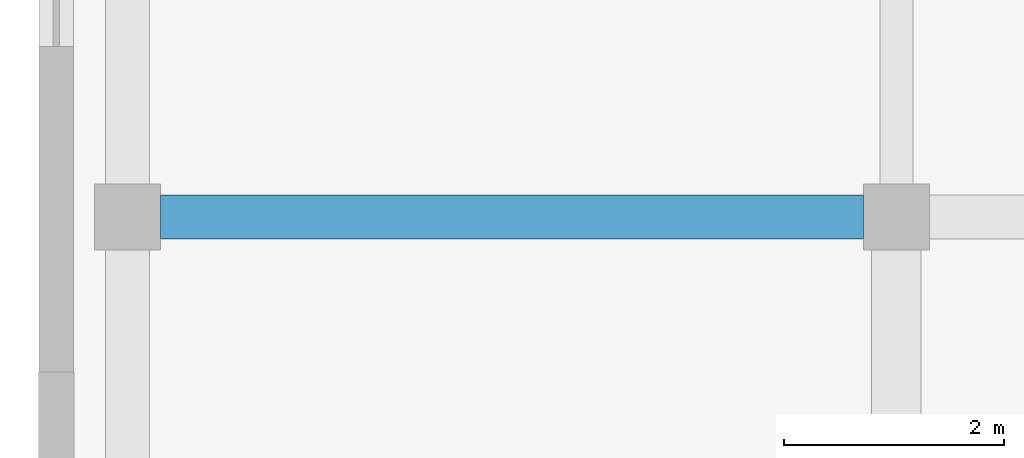
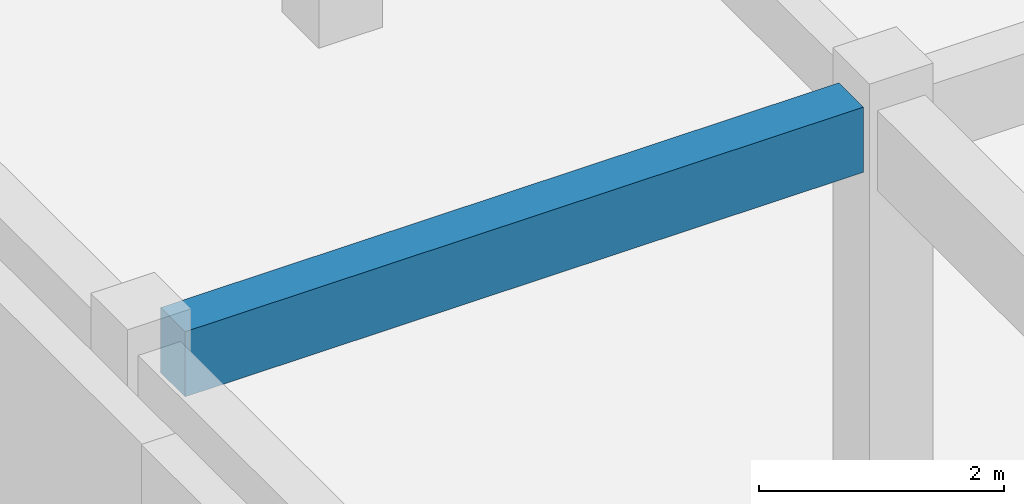
# One storey, part 47 of 121: 1 beam.
"""IFC4 building model written with IfcOpenShell, lengths in metres."""

import ifcopenshell
import ifcopenshell.guid

model = None  # the IFC model being written
_history = None  # IfcOwnerHistory: only IFC2X3 demands one
_inside = {}  # id of a spatial element -> (the spatial element, [elements in it])
_under = {}  # id of a project, library or spatial element -> (it, [spatial elements below it])
_declared = {}  # id of a project -> (the project, [libraries it declares])
_typed = {}  # id of a type object -> (the type object, [elements of that type])
_made_of = {}  # id of a material, layer set ... -> (it, [elements and type objects made of it])


def new_model(schema):
    """Start an empty IFC model of exactly this schema.

    Asked for "IFC4X3", IfcOpenShell would pick the latest addendum, in which some entities
    have other attributes; the version numbers below select the first issue.
    IFC2X3 requires an IfcOwnerHistory on every rooted entity: one is made here for all.
    """
    global model, _history
    if schema == "IFC4X3":
        model = ifcopenshell.file(schema_version=(4, 3, 0, 0))
    else:
        model = ifcopenshell.file(schema=schema)
    _inside.clear()
    _under.clear()
    _declared.clear()
    _typed.clear()
    _made_of.clear()
    _history = None
    if model.schema == "IFC2X3":
        org = make("IfcOrganization", Name="unknown")
        user = make(
            "IfcPersonAndOrganization",
            ThePerson=make("IfcPerson", FamilyName="unknown"),
            TheOrganization=org,
        )
        app = make(
            "IfcApplication",
            ApplicationDeveloper=org,
            Version="unknown",
            ApplicationFullName="unknown",
            ApplicationIdentifier="unknown",
        )
        _history = make(
            "IfcOwnerHistory",
            OwningUser=user,
            OwningApplication=app,
            ChangeAction="ADDED",
            CreationDate=0,
        )
    return model


def make(cls, **values):
    """One entity of the class cls with the attributes given. An attribute that is None is left unset."""
    return model.create_entity(
        cls, **{name: value for name, value in values.items() if value is not None}
    )


def rooted(cls, **values):
    """An entity with a GlobalId (a new one), such as an element, a storey or a relation."""
    return make(cls, GlobalId=ifcopenshell.guid.new(), OwnerHistory=_history, **values)


def si_unit(unit_type, name, prefix=None):
    """IfcSIUnit, for example si_unit("LENGTHUNIT", "METRE", prefix="MILLI")."""
    return make("IfcSIUnit", UnitType=unit_type, Prefix=prefix, Name=name)


def assignment(units):
    """IfcUnitAssignment: the units of a project."""
    return None if units is None else make("IfcUnitAssignment", Units=units)


def point(xyz):
    """IfcCartesianPoint."""
    return None if xyz is None else make("IfcCartesianPoint", Coordinates=xyz)


def direction(xyz):
    """IfcDirection."""
    return None if xyz is None else make("IfcDirection", DirectionRatios=xyz)


def frame(location, z_axis=None, x_axis=None):
    """IfcAxis2Placement3D, a coordinate frame: its origin and axes. An axis left out is left unset."""
    return make(
        "IfcAxis2Placement3D",
        Location=point(location),
        Axis=direction(z_axis),
        RefDirection=direction(x_axis),
    )


def frame_2d(location, x_axis=None):
    """IfcAxis2Placement2D, a coordinate frame in the plane: its origin and x axis."""
    return make(
        "IfcAxis2Placement2D", Location=point(location), RefDirection=direction(x_axis)
    )


def origin():
    """The frame at (0, 0, 0) with its axes left unset."""
    return frame((0.0, 0.0, 0.0))


def origin_2d():
    """The frame at (0, 0) in the plane with its x axis left unset."""
    return frame_2d((0.0, 0.0))


def place(relative_to, where):
    """IfcLocalPlacement: puts the frame where relative to a parent placement (None: the world)."""
    return make(
        "IfcLocalPlacement", PlacementRelTo=relative_to, RelativePlacement=where
    )


def context(
    kind, dimensions, precision=None, world=None, true_north=None, identifier=None
):
    """IfcGeometricRepresentationContext, for example the 3D "Model" context."""
    return make(
        "IfcGeometricRepresentationContext",
        ContextIdentifier=identifier,
        ContextType=kind,
        CoordinateSpaceDimension=dimensions,
        Precision=precision,
        WorldCoordinateSystem=world,
        TrueNorth=true_north,
    )


def subcontext(parent, identifier, kind, view, scale=None):
    """IfcGeometricRepresentationSubContext, for example "Body" below "Model"."""
    return make(
        "IfcGeometricRepresentationSubContext",
        ContextIdentifier=identifier,
        ContextType=kind,
        ParentContext=parent,
        TargetScale=scale,
        TargetView=view,
    )


def project(units=None, contexts=None):
    """IfcProject with its units and contexts."""
    return rooted(
        "IfcProject",
        Name="project",
        RepresentationContexts=contexts,
        UnitsInContext=assignment(units),
    )


def spatial(cls, under=None, at=None, **own):
    """A site, building, storey or space (cls), placed at a placement, below another one or the project."""
    s = rooted(cls, ObjectPlacement=at, **own)
    if under is not None:
        _under.setdefault(under.id(), (under, []))[1].append(s)
    return s


def profile(cls, at=None, kind="AREA", **sizes):
    """A parametric profile (cls). Its sizes go by their IFC names, for example OverallWidth=200.0."""
    return make(cls, ProfileType=kind, Position=at, **sizes)


def rectangle(**sizes):
    """IfcRectangleProfileDef."""
    return profile("IfcRectangleProfileDef", **sizes)


def extrude(swept, where, along, depth):
    """IfcExtrudedAreaSolid: the profile swept, set in the frame where, extruded along a direction by depth."""
    return make(
        "IfcExtrudedAreaSolid",
        SweptArea=swept,
        Position=where,
        ExtrudedDirection=direction(along),
        Depth=depth,
    )


def shape(context_of_items, identifier, shape_type, items):
    """IfcShapeRepresentation: the items that make up one representation, for example the "Body"."""
    return make(
        "IfcShapeRepresentation",
        ContextOfItems=context_of_items,
        RepresentationIdentifier=identifier,
        RepresentationType=shape_type,
        Items=items,
    )


def material(Name=None, Category=None):
    """IfcMaterial."""
    return make("IfcMaterial", Name=Name, Category=Category)


def material_profile(
    of_material, cross_section, Name=None, Category=None, Priority=None
):
    """IfcMaterialProfile: a cross section and its material."""
    return make(
        "IfcMaterialProfile",
        Name=Name,
        Material=of_material,
        Profile=cross_section,
        Priority=Priority,
        Category=Category,
    )


def profile_set(profiles, Name=None, composite=None):
    """IfcMaterialProfileSet."""
    return make(
        "IfcMaterialProfileSet",
        Name=Name,
        MaterialProfiles=profiles,
        CompositeProfile=composite,
    )


def made_of(thing, what):
    """Note that an element or type object is made of a material, layer set ...; save() writes the relation."""
    if what is not None:
        _made_of.setdefault(what.id(), (what, []))[1].append(thing)
    return thing


def type_object(cls, material=None, **own):
    """A type object (cls), such as IfcWallType, which elements share."""
    return made_of(rooted(cls, **own), material)


def element(
    cls,
    number,
    at=None,
    inside=None,
    cuts=None,
    type_object=None,
    material=None,
    context=None,
    identifier="Body",
    shape_type=None,
    held_by="IfcProductDefinitionShape",
    body=None,
    shapes=None,
    **own,
):
    """One element of the class cls, such as IfcWall. Its Tag is "e" and its number.

    at: its placement. inside: the storey or other place that contains it. cuts: it is an
    opening in that element (IfcRelVoidsElement). A single representation is given by context,
    identifier, shape_type and body (its items); several are given by shapes. held_by: the class
    of the entity that holds the representations. save() writes the other relations.
    """
    e = rooted(cls, Tag="e%d" % number, ObjectPlacement=at, **own)
    if body is not None:
        shapes = [shape(context, identifier, shape_type, body)]
    if shapes is not None:
        e.Representation = make(held_by, Representations=shapes)
    if inside is not None:
        _inside.setdefault(inside.id(), (inside, []))[1].append(e)
    if cuts is not None:
        rooted(
            "IfcRelVoidsElement", RelatingBuildingElement=cuts, RelatedOpeningElement=e
        )
    if type_object is not None:
        _typed.setdefault(type_object.id(), (type_object, []))[1].append(e)
    return made_of(e, material)


def aggregate(whole, parts):
    """IfcRelAggregates: a whole, such as a stair, and the parts it consists of."""
    return rooted("IfcRelAggregates", RelatingObject=whole, RelatedObjects=parts)


def save(model, path):
    """Write the relations noted so far, then the file.

    IfcRelAggregates (storeys below a building ...), IfcRelContainedInSpatialStructure (elements
    in a storey), IfcRelDefinesByType, IfcRelAssociatesMaterial and IfcRelDeclares: one each for
    every whole, place, type object, material and project.
    """
    for whole, parts in _under.values():
        aggregate(whole, parts)
    for where, things in _inside.values():
        rooted(
            "IfcRelContainedInSpatialStructure",
            RelatedElements=things,
            RelatingStructure=where,
        )
    for kind, things in _typed.values():
        rooted("IfcRelDefinesByType", RelatedObjects=things, RelatingType=kind)
    for what, things in _made_of.values():
        rooted("IfcRelAssociatesMaterial", RelatedObjects=things, RelatingMaterial=what)
    for by, libraries in _declared.values():
        rooted("IfcRelDeclares", RelatingContext=by, RelatedDefinitions=libraries)
    model.write(path)


model = new_model("IFC4")

# Units and contexts
model_context = context("Model", 3, precision=1e-05, world=origin(), true_north=direction((0.0, 1.0)))
body_context = subcontext(model_context, "Body", "Model", "MODEL_VIEW")
ifc_project = project(units=[si_unit("LENGTHUNIT", "METRE"), si_unit("AREAUNIT", "SQUARE_METRE"), si_unit("VOLUMEUNIT", "CUBIC_METRE"), si_unit("PLANEANGLEUNIT", "RADIAN"), si_unit("MASSUNIT", "GRAM", prefix="KILO")], contexts=[model_context])

# Site, building, storey
site_placement = place(None, origin())
site = spatial("IfcSite", under=ifc_project, at=site_placement, CompositionType="ELEMENT")
building_placement = place(site_placement, origin())
building = spatial("IfcBuilding", under=site, at=building_placement, Name="Valcora Specialist Clinic", CompositionType="ELEMENT")
storey_placement = place(building_placement, origin())
storey = spatial("IfcBuildingStorey", under=building, at=storey_placement, Name="L00", CompositionType="ELEMENT", Elevation=0.0)

# Beam
ifc_material = material(Name="Concrete C40/50", Category="concrete")
ifc_material_profile = material_profile(ifc_material, rectangle(XDim=0.39990234375, YDim=0.64990234375, at=origin_2d()), Name="RC-BM-400X650")
ifc_profile_set = profile_set([ifc_material_profile], Name="Concrete C40/50")
beam_type = type_object("IfcBeamType", Name="TY-BM-RC400X650", PredefinedType="BEAM", material=ifc_profile_set)
beam_placement = place(storey_placement, frame((62.300048828125, 90.199951171875, 4.485107421875), z_axis=(1.0, 0.0, 0.0), x_axis=(0.0, 1.0, 0.0)))
element("IfcBeam", 1, at=beam_placement, inside=storey, type_object=beam_type, Name="Beam BM-L00-0549", PredefinedType="BEAM", context=body_context, shape_type="SweptSolid", body=[
    extrude(rectangle(XDim=0.39990234375, YDim=0.64990234375, at=origin_2d()), origin(), (0.0, 0.0, 1.0), 6.39990234375),
])

save(model, "model.ifc")
